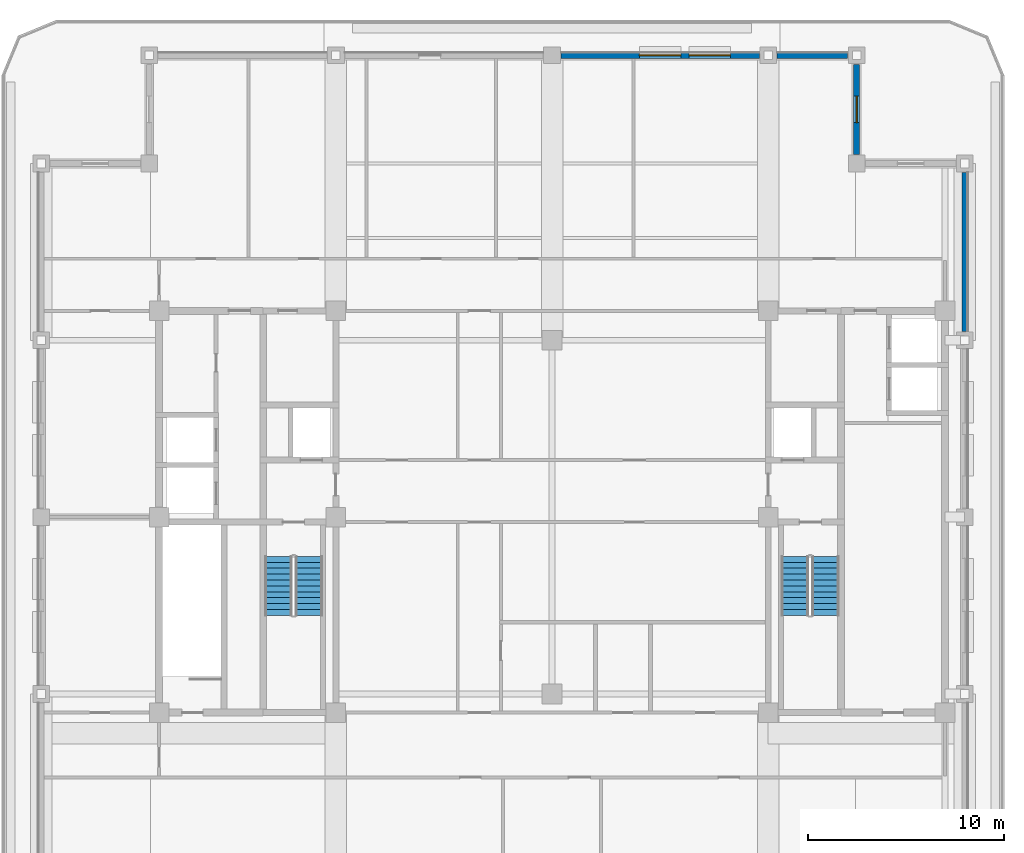
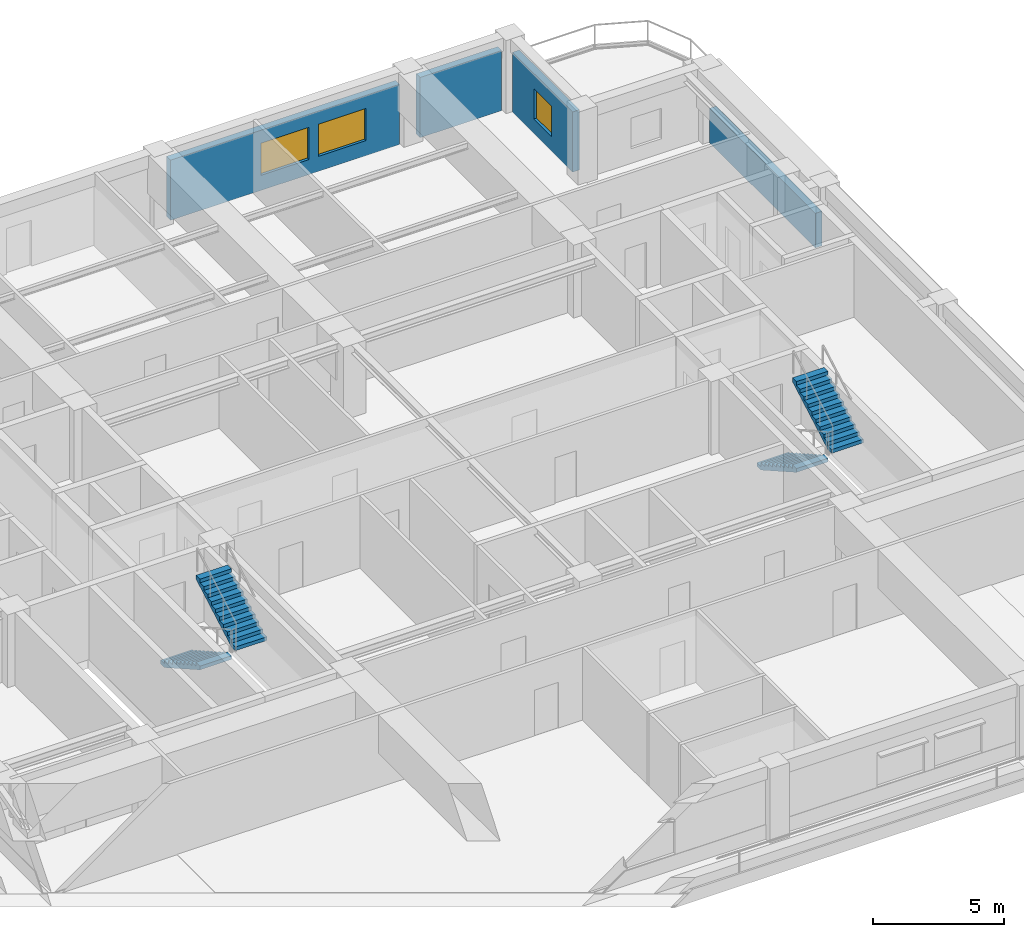
# One storey, part 6 of 11: 4 stair flights, 4 walls, 3 windows, 3 openings, 2 elements without a shape of their own.
"""IFC4 building model written with IfcOpenShell, lengths in metres."""

from ifc_helpers import new_model, si_unit, direction, frame, frame_2d, origin, place, context, subcontext, project, spatial, polyline, rectangle, outline, extrude, material, layer, layer_set, type_object, element, fill, aggregate, save


model = new_model("IFC4")

# Units and contexts
model_context = context("Model", 3, precision=1e-05, world=origin(), true_north=direction((0.0, 1.0)))
body_context = subcontext(model_context, "Body", "Model", "MODEL_VIEW")
ifc_project = project(units=[si_unit("LENGTHUNIT", "METRE"), si_unit("AREAUNIT", "SQUARE_METRE"), si_unit("VOLUMEUNIT", "CUBIC_METRE"), si_unit("PLANEANGLEUNIT", "RADIAN"), si_unit("MASSUNIT", "GRAM", prefix="KILO")], contexts=[model_context])

# Site, building, storey
site_placement = place(None, origin())
site = spatial("IfcSite", under=ifc_project, at=site_placement, CompositionType="ELEMENT")
building_placement = place(site_placement, origin())
building = spatial("IfcBuilding", under=site, at=building_placement, Name="Zulmaris Gate Convention Tower", CompositionType="ELEMENT")
storey_placement = place(building_placement, frame((0.0, 0.0, 278.06005859375)))
storey = spatial("IfcBuildingStorey", under=building, at=storey_placement, Name="L74", CompositionType="ELEMENT", Elevation=278.06005859375)

# Wall, opening, window
ifc_material_1 = material(Name="Precast concrete C40/50", Category="concrete")
ifc_layer_1 = layer(ifc_material_1, 0.300048828125, Name="Precast concrete C40/50")
ifc_layer_set_1 = layer_set([ifc_layer_1], Name="Precast concrete C40/50")
wall_type = type_object("IfcWallType", Name="PRECAST-PIER-300", PredefinedType="STANDARD", material=ifc_layer_set_1)
wall_1_placement = place(storey_placement, frame((15.5, 18.455078125, 0.0), z_axis=(0.0, 0.0, 1.0), x_axis=(0.0, 1.0, 0.0)))
wall_1 = element("IfcWall", 1, at=wall_1_placement, inside=storey, type_object=wall_type, Name="EW-L74-NOTCH-NE2_0", PredefinedType="STANDARD", context=body_context, shape_type="SweptSolid", body=[
    extrude(rectangle(XDim=4.58984375, YDim=0.300048828125, at=frame_2d((2.294921875, 0.0))), origin(), (0.0, 0.0, 1.0), 2.806884765625),
])
opening_1_placement = place(wall_1_placement, frame((1.6201171875, 0.0, 0.679931640625)))
opening_1 = element("IfcOpeningElement", 2, at=opening_1_placement, cuts=wall_1, Name="Opening W-10", PredefinedType="OPENING", context=body_context, shape_type="SweptSolid", body=[
    extrude(rectangle(XDim=1.35009765625, YDim=1.419921875, at=frame_2d((0.675048828125, 0.7099609375))), frame((0.0, 0.16015625, 0.0), z_axis=(0.0, -1.0, 0.0), x_axis=(1.0, 0.0, 0.0)), (0.0, 0.0, 1.0), 0.320068359375),
])
ifc_material_2 = material(Name="Low-E Laminated Double Glazing in Aluminium Frame", Category="aluminium")
window_type_1 = type_object("IfcWindowType", Name="WIN-1350x2000", PartitioningType="SINGLE_PANEL", PredefinedType="WINDOW", material=ifc_material_2)
window_1_placement = place(opening_1_placement, origin())
window_1 = element("IfcWindow", 3, at=window_1_placement, inside=storey, type_object=window_type_1, Name="WN-EW-L74-NOTCH-NE2_0", OverallHeight=1.419921875, OverallWidth=1.35009765625, PartitioningType="SINGLE_PANEL", PredefinedType="WINDOW", context=body_context, shape_type="SweptSolid", body=[
    extrude(rectangle(XDim=1.35009765625, YDim=1.419921875, at=frame_2d((0.675048828125, 0.7099609375))), frame((0.0, 0.030029296875, 0.0), z_axis=(0.0, -1.0, 0.0), x_axis=(1.0, 0.0, 0.0)), (0.0, 0.0, 1.0), 0.06005859375),
])
fill(opening_1, window_1)

# Wall, openings, windows
wall_2_placement = place(storey_placement, frame((10.544921875, 23.5, 0.0), z_axis=(0.0, 0.0, 1.0), x_axis=(-1.0, 0.0, 0.0)))
wall_2 = element("IfcWall", 4, at=wall_2_placement, inside=storey, type_object=wall_type, Name="EW-L74-N-2_0", PredefinedType="STANDARD", context=body_context, shape_type="SweptSolid", body=[
    extrude(rectangle(XDim=10.08984375, YDim=0.300048828125, at=frame_2d((5.044921875, 0.0))), origin(), (0.0, 0.0, 1.0), 2.806884765625),
])
opening_2_placement = place(wall_2_placement, frame((1.471923828125, 0.0, 0.699951171875)))
opening_2 = element("IfcOpeningElement", 5, at=opening_2_placement, cuts=wall_2, Name="Opening W-05", PredefinedType="OPENING", context=body_context, shape_type="SweptSolid", body=[
    extrude(rectangle(XDim=2.10009765625, YDim=1.5, at=frame_2d((1.050048828125, 0.75))), frame((0.0, 0.16015625, 0.0), z_axis=(0.0, -1.0, 0.0), x_axis=(1.0, 0.0, 0.0)), (0.0, 0.0, 1.0), 0.320068359375),
])
opening_3_placement = place(wall_2_placement, frame((3.9951171875, 0.0, 0.699951171875)))
opening_3 = element("IfcOpeningElement", 6, at=opening_3_placement, cuts=wall_2, Name="Opening W-05", PredefinedType="OPENING", context=body_context, shape_type="SweptSolid", body=[
    extrude(rectangle(XDim=2.10009765625, YDim=1.5, at=frame_2d((1.050048828125, 0.75))), frame((0.0, 0.16015625, 0.0), z_axis=(0.0, -1.0, 0.0), x_axis=(1.0, 0.0, 0.0)), (0.0, 0.0, 1.0), 0.320068359375),
])
window_type_2 = type_object("IfcWindowType", Name="WIN-2100x2400", PartitioningType="SINGLE_PANEL", PredefinedType="WINDOW", material=ifc_material_2)
window_2_placement = place(opening_2_placement, origin())
window_2 = element("IfcWindow", 7, at=window_2_placement, inside=storey, type_object=window_type_2, Name="WN-EW-L74-N-2_0-1", OverallHeight=1.5, OverallWidth=2.10009765625, PartitioningType="SINGLE_PANEL", PredefinedType="WINDOW", context=body_context, shape_type="SweptSolid", body=[
    extrude(rectangle(XDim=2.10009765625, YDim=1.5, at=frame_2d((1.050048828125, 0.75))), frame((0.0, 0.030029296875, 0.0), z_axis=(0.0, -1.0, 0.0), x_axis=(1.0, 0.0, 0.0)), (0.0, 0.0, 1.0), 0.06005859375),
])
fill(opening_2, window_2)
window_3_placement = place(opening_3_placement, origin())
window_3 = element("IfcWindow", 8, at=window_3_placement, inside=storey, type_object=window_type_2, Name="WN-EW-L74-N-2_0-2", OverallHeight=1.5, OverallWidth=2.10009765625, PartitioningType="SINGLE_PANEL", PredefinedType="WINDOW", context=body_context, shape_type="SweptSolid", body=[
    extrude(rectangle(XDim=2.10009765625, YDim=1.5, at=frame_2d((1.050048828125, 0.75))), frame((0.0, 0.030029296875, 0.0), z_axis=(0.0, -1.0, 0.0), x_axis=(1.0, 0.0, 0.0)), (0.0, 0.0, 1.0), 0.06005859375),
])
fill(opening_3, window_3)

# Walls
wall_3_placement = place(storey_placement, frame((15.044921875, 23.5, 0.0), z_axis=(0.0, 0.0, 1.0), x_axis=(-1.0, 0.0, 0.0)))
element("IfcWall", 9, at=wall_3_placement, inside=storey, type_object=wall_type, Name="EW-L74-N-3_0", PredefinedType="STANDARD", context=body_context, shape_type="SweptSolid", body=[
    extrude(rectangle(XDim=3.58984375, YDim=0.300048828125, at=frame_2d((1.794921875, 0.0))), origin(), (0.0, 0.0, 1.0), 2.806884765625),
])
wall_4_placement = place(storey_placement, frame((21.0, 9.455078125, 0.0), z_axis=(0.0, 0.0, 1.0), x_axis=(0.0, 1.0, 0.0)))
element("IfcWall", 10, at=wall_4_placement, inside=storey, type_object=wall_type, Name="EW-L74-E-3_0", PredefinedType="STANDARD", context=body_context, shape_type="SweptSolid", body=[
    extrude(rectangle(XDim=8.08984375, YDim=0.300048828125, at=frame_2d((4.044921875, 0.0))), origin(), (0.0, 0.0, 1.0), 1.60693359375),
])

# Stair, stair flights
ifc_material_3 = material(Name="Concrete C45/55", Category="concrete")
stair_type = type_object("IfcStairType", Name="ST-CORE-DOGLEG", PredefinedType="HALF_TURN_STAIR", material=ifc_material_3)
stair_1_placement = place(storey_placement, origin())
stair_1 = element("IfcStair", 11, at=stair_1_placement, inside=storey, type_object=stair_type, Name="L74 Core Exit Stair ST-1", PredefinedType="HALF_TURN_STAIR")
ifc_layer_2 = layer(ifc_material_3, 0.14990234375, Name="Concrete C45/55")
ifc_layer_set_2 = layer_set([ifc_layer_2], Name="Concrete C45/55")
stair_flight_type = type_object("IfcStairFlightType", Name="STF-RC150", PredefinedType="STRAIGHT", material=ifc_layer_set_2)
stair_flight_1_placement = place(storey_placement, frame((-13.919921875, -2.0, 0.0), z_axis=(0.0, 0.0, 1.0), x_axis=(0.0, -1.0, 0.0)))
stair_flight_1 = element("IfcStairFlight", 12, at=stair_flight_1_placement, type_object=stair_flight_type, Name="ST-1 flight 1", NumberOfRisers=11, NumberOfTreads=10, PredefinedType="STRAIGHT", RiserHeight=0.169995455, TreadLength=0.3, context=body_context, shape_type="SweptSolid", body=[
    extrude(outline(polyline([(0.0, 0.0), (0.0, 0.169921875), (0.300048828125, 0.169921875), (0.300048828125, 0.340087890625), (0.60009765625, 0.340087890625), (0.60009765625, 0.510009765625), (0.89990234375, 0.510009765625), (0.89990234375, 0.679931640625), (1.199951171875, 0.679931640625), (1.199951171875, 0.85009765625), (1.5, 0.85009765625), (1.5, 1.02001953125), (1.800048828125, 1.02001953125), (1.800048828125, 1.18994140625), (2.10009765625, 1.18994140625), (2.10009765625, 1.35986328125), (2.39990234375, 1.35986328125), (2.39990234375, 1.530029296875), (2.699951171875, 1.530029296875), (2.699951171875, 1.699951171875), (3.0, 1.699951171875), (3.0, 1.869873046875), (3.0, 1.527587890625), (0.303955078125, 0.0), (0.0, 0.0)])), frame((0.0, 0.699951171875, 0.0), z_axis=(0.0, -1.0, 0.0), x_axis=(1.0, 0.0, 0.0)), (0.0, 0.0, 1.0), 1.39990234375),
])
stair_flight_2_placement = place(storey_placement, frame((-12.360107421875, -5.0, 1.869873046875), z_axis=(0.0, 0.0, 1.0), x_axis=(0.0, 1.0, 0.0)))
stair_flight_2 = element("IfcStairFlight", 13, at=stair_flight_2_placement, type_object=stair_flight_type, Name="ST-1 flight 2", NumberOfRisers=11, NumberOfTreads=10, PredefinedType="STRAIGHT", RiserHeight=0.169995455, TreadLength=0.3, context=body_context, shape_type="SweptSolid", body=[
    extrude(outline(polyline([(0.0, 0.0), (0.0, 0.169921875), (0.300048828125, 0.169921875), (0.300048828125, 0.340087890625), (0.60009765625, 0.340087890625), (0.60009765625, 0.510009765625), (0.89990234375, 0.510009765625), (0.89990234375, 0.679931640625), (1.199951171875, 0.679931640625), (1.199951171875, 0.85009765625), (1.5, 0.85009765625), (1.5, 1.02001953125), (1.800048828125, 1.02001953125), (1.800048828125, 1.18994140625), (2.10009765625, 1.18994140625), (2.10009765625, 1.35986328125), (2.39990234375, 1.35986328125), (2.39990234375, 1.530029296875), (2.699951171875, 1.530029296875), (2.699951171875, 1.699951171875), (3.0, 1.699951171875), (3.0, 1.869873046875), (3.0, 1.527587890625), (0.303955078125, 0.0), (0.0, 0.0)])), frame((0.0, 0.699951171875, 0.0), z_axis=(0.0, -1.0, 0.0), x_axis=(1.0, 0.0, 0.0)), (0.0, 0.0, 1.0), 1.39990234375),
])
aggregate(stair_1, [stair_flight_1, stair_flight_2])

stair_2_placement = place(storey_placement, origin())
stair_2 = element("IfcStair", 14, at=stair_2_placement, inside=storey, type_object=stair_type, Name="L74 Core Exit Stair ST-2", PredefinedType="HALF_TURN_STAIR")
stair_flight_3_placement = place(storey_placement, frame((12.360107421875, -2.0, 0.0), z_axis=(0.0, 0.0, 1.0), x_axis=(0.0, -1.0, 0.0)))
stair_flight_3 = element("IfcStairFlight", 15, at=stair_flight_3_placement, type_object=stair_flight_type, Name="ST-2 flight 1", NumberOfRisers=11, NumberOfTreads=10, PredefinedType="STRAIGHT", RiserHeight=0.169995455, TreadLength=0.3, context=body_context, shape_type="SweptSolid", body=[
    extrude(outline(polyline([(0.0, 0.0), (0.0, 0.169921875), (0.300048828125, 0.169921875), (0.300048828125, 0.340087890625), (0.60009765625, 0.340087890625), (0.60009765625, 0.510009765625), (0.89990234375, 0.510009765625), (0.89990234375, 0.679931640625), (1.199951171875, 0.679931640625), (1.199951171875, 0.85009765625), (1.5, 0.85009765625), (1.5, 1.02001953125), (1.800048828125, 1.02001953125), (1.800048828125, 1.18994140625), (2.10009765625, 1.18994140625), (2.10009765625, 1.35986328125), (2.39990234375, 1.35986328125), (2.39990234375, 1.530029296875), (2.699951171875, 1.530029296875), (2.699951171875, 1.699951171875), (3.0, 1.699951171875), (3.0, 1.869873046875), (3.0, 1.527587890625), (0.303955078125, 0.0), (0.0, 0.0)])), frame((0.0, 0.699951171875, 0.0), z_axis=(0.0, -1.0, 0.0), x_axis=(1.0, 0.0, 0.0)), (0.0, 0.0, 1.0), 1.39990234375),
])
stair_flight_4_placement = place(storey_placement, frame((13.919921875, -5.0, 1.869873046875), z_axis=(0.0, 0.0, 1.0), x_axis=(0.0, 1.0, 0.0)))
stair_flight_4 = element("IfcStairFlight", 16, at=stair_flight_4_placement, type_object=stair_flight_type, Name="ST-2 flight 2", NumberOfRisers=11, NumberOfTreads=10, PredefinedType="STRAIGHT", RiserHeight=0.169995455, TreadLength=0.3, context=body_context, shape_type="SweptSolid", body=[
    extrude(outline(polyline([(0.0, 0.0), (0.0, 0.169921875), (0.300048828125, 0.169921875), (0.300048828125, 0.340087890625), (0.60009765625, 0.340087890625), (0.60009765625, 0.510009765625), (0.89990234375, 0.510009765625), (0.89990234375, 0.679931640625), (1.199951171875, 0.679931640625), (1.199951171875, 0.85009765625), (1.5, 0.85009765625), (1.5, 1.02001953125), (1.800048828125, 1.02001953125), (1.800048828125, 1.18994140625), (2.10009765625, 1.18994140625), (2.10009765625, 1.35986328125), (2.39990234375, 1.35986328125), (2.39990234375, 1.530029296875), (2.699951171875, 1.530029296875), (2.699951171875, 1.699951171875), (3.0, 1.699951171875), (3.0, 1.869873046875), (3.0, 1.527587890625), (0.303955078125, 0.0), (0.0, 0.0)])), frame((0.0, 0.699951171875, 0.0), z_axis=(0.0, -1.0, 0.0), x_axis=(1.0, 0.0, 0.0)), (0.0, 0.0, 1.0), 1.39990234375),
])
aggregate(stair_2, [stair_flight_3, stair_flight_4])

save(model, "model.ifc")
